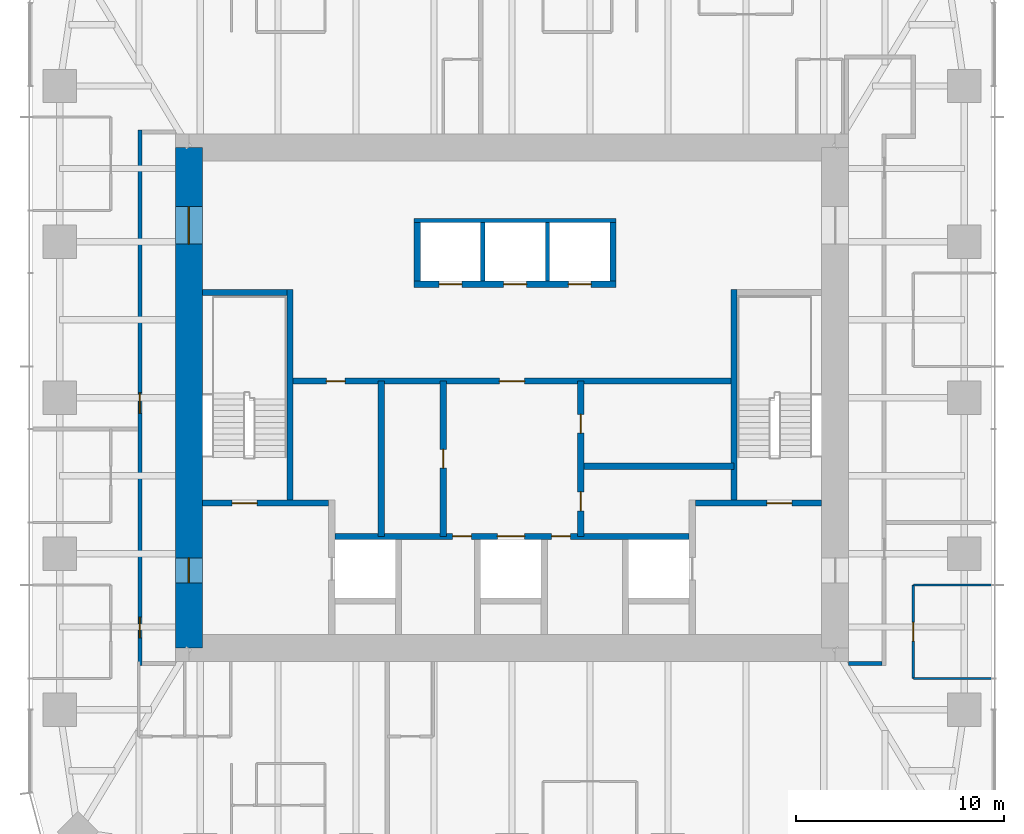
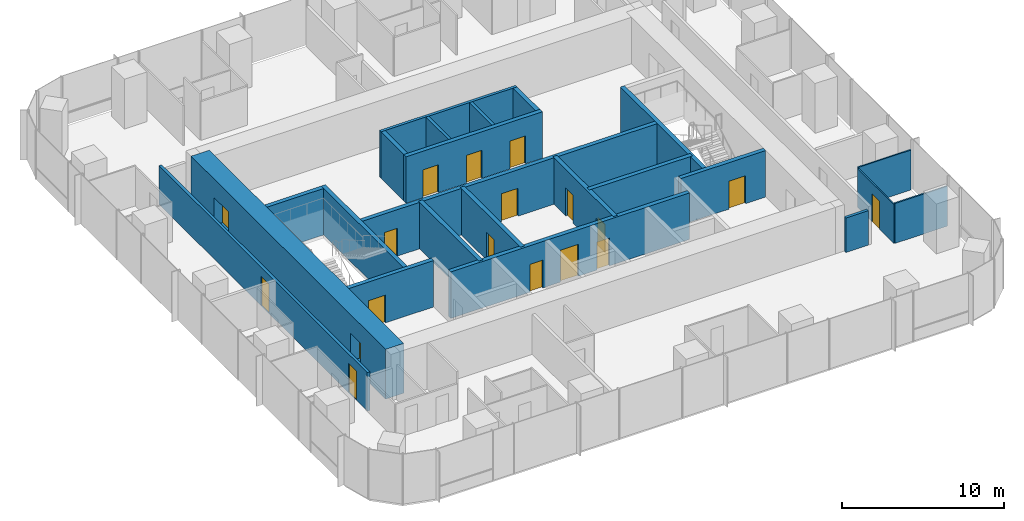
# One storey, part 9 of 12: 23 walls, 18 doors, 18 openings.
"""IFC4 building model written with IfcOpenShell, lengths in metres."""

from ifc_helpers import new_model, si_unit, direction, frame, frame_2d, origin, place, context, subcontext, project, spatial, rectangle, extrude, material, layer, layer_set, type_object, element, fill, save


model = new_model("IFC4")

# Units and contexts
model_context = context("Model", 3, precision=1e-05, world=origin(), true_north=direction((0.0, 1.0)))
body_context = subcontext(model_context, "Body", "Model", "MODEL_VIEW")
ifc_project = project(units=[si_unit("LENGTHUNIT", "METRE"), si_unit("AREAUNIT", "SQUARE_METRE"), si_unit("VOLUMEUNIT", "CUBIC_METRE"), si_unit("PLANEANGLEUNIT", "RADIAN"), si_unit("MASSUNIT", "GRAM", prefix="KILO")], contexts=[model_context])

# Site, building, storey
site_placement = place(None, origin())
site = spatial("IfcSite", under=ifc_project, at=site_placement, CompositionType="ELEMENT")
building_placement = place(site_placement, origin())
building = spatial("IfcBuilding", under=site, at=building_placement, Name="Khuree Lantern Residences", CompositionType="ELEMENT")
storey_placement = place(building_placement, frame((0.0, 0.0, 334.5)))
storey = spatial("IfcBuildingStorey", under=building, at=storey_placement, Name="L84", CompositionType="ELEMENT", Elevation=334.5)

# Wall, openings, doors
ifc_material_1 = material(Name="Dense concrete blockwork", Category="masonry")
ifc_layer_1 = layer(ifc_material_1, 0.300048828125)
ifc_layer_set_1 = layer_set([ifc_layer_1], Name="CORE PARTITION WALL CPW300 EI 120")
wall_type_1 = type_object("IfcWallType", Name="CORE PARTITION WALL CPW300 EI 120", PredefinedType="PARTITIONING", material=ifc_layer_set_1)
wall_1_placement = place(storey_placement, frame((-8.5, -6.64990234375, 0.0), z_axis=(0.0, 0.0, 1.0), x_axis=(1.0, 0.0, 0.0)))
wall_1 = element("IfcWall", 1, at=wall_1_placement, inside=storey, type_object=wall_type_1, Name="L84 CORE WALL FLROW", PredefinedType="PARTITIONING", context=body_context, shape_type="SweptSolid", body=[
    extrude(rectangle(XDim=17.0, YDim=0.300048828125, at=frame_2d((8.5, 0.0))), origin(), (0.0, 0.0, 1.0), 3.5),
])
opening_1_placement = place(wall_1_placement, frame((7.800048828125, 0.0, 0.0)))
opening_1 = element("IfcOpeningElement", 2, at=opening_1_placement, cuts=wall_1, Name="Opening 84-012", PredefinedType="OPENING", context=body_context, shape_type="SweptSolid", body=[
    extrude(rectangle(XDim=1.300048828125, YDim=2.39990234375, at=frame_2d((0.64990234375, 1.199951171875))), frame((0.0, 0.16015625, 0.0), z_axis=(0.0, -1.0, 0.0), x_axis=(1.0, 0.0, 0.0)), (0.0, 0.0, 1.0), 0.320068359375),
])
opening_2_placement = place(wall_1_placement, frame((5.64990234375, 0.0, 0.0)))
opening_2 = element("IfcOpeningElement", 3, at=opening_2_placement, cuts=wall_1, Name="Opening 84-014", PredefinedType="OPENING", context=body_context, shape_type="SweptSolid", body=[
    extrude(rectangle(XDim=0.89990234375, YDim=2.10009765625, at=frame_2d((0.449951171875, 1.050048828125))), frame((0.0, 0.16015625, 0.0), z_axis=(0.0, -1.0, 0.0), x_axis=(1.0, 0.0, 0.0)), (0.0, 0.0, 1.0), 0.320068359375),
])
opening_3_placement = place(wall_1_placement, frame((10.39990234375, 0.0, 0.0)))
opening_3 = element("IfcOpeningElement", 4, at=opening_3_placement, cuts=wall_1, Name="Opening 84-015", PredefinedType="OPENING", context=body_context, shape_type="SweptSolid", body=[
    extrude(rectangle(XDim=0.89990234375, YDim=2.10009765625, at=frame_2d((0.449951171875, 1.050048828125))), frame((0.0, 0.16015625, 0.0), z_axis=(0.0, -1.0, 0.0), x_axis=(1.0, 0.0, 0.0)), (0.0, 0.0, 1.0), 0.320068359375),
])
ifc_material_2 = material(Name="Steel door leaf in steel frame", Category="steel")
door_type_1 = type_object("IfcDoorType", Name="DOOR 900X2100 EI 60", OperationType="SINGLE_SWING_LEFT", PredefinedType="DOOR", material=ifc_material_2)
door_1_placement = place(opening_2_placement, origin())
door_1 = element("IfcDoor", 5, at=door_1_placement, inside=storey, type_object=door_type_1, Name="Refuse chute room door 84-014", OperationType="SINGLE_SWING_LEFT", OverallHeight=2.10009765625, OverallWidth=0.89990234375, PredefinedType="DOOR", context=body_context, shape_type="SweptSolid", body=[
    extrude(rectangle(XDim=0.89990234375, YDim=2.10009765625, at=frame_2d((0.449951171875, 1.050048828125))), frame((0.0, 0.02490234375, 0.0), z_axis=(0.0, -1.0, 0.0), x_axis=(1.0, 0.0, 0.0)), (0.0, 0.0, 1.0), 0.050048828125),
])
fill(opening_2, door_1)
door_type_2 = type_object("IfcDoorType", Name="DOOR 900X2100 EI 60 RIGHT HAND", OperationType="SINGLE_SWING_RIGHT", PredefinedType="DOOR", material=ifc_material_2)
door_2_placement = place(opening_3_placement, origin())
door_2 = element("IfcDoor", 6, at=door_2_placement, inside=storey, type_object=door_type_2, Name="Electrical and plumbing riser door 84-015", OperationType="SINGLE_SWING_RIGHT", OverallHeight=2.10009765625, OverallWidth=0.89990234375, PredefinedType="DOOR", context=body_context, shape_type="SweptSolid", body=[
    extrude(rectangle(XDim=0.89990234375, YDim=2.10009765625, at=frame_2d((0.449951171875, 1.050048828125))), frame((0.0, 0.02490234375, 0.0), z_axis=(0.0, -1.0, 0.0), x_axis=(1.0, 0.0, 0.0)), (0.0, 0.0, 1.0), 0.050048828125),
])
fill(opening_3, door_2)
ifc_material_3 = material(Name="Stainless steel lift landing door", Category="steel")
door_type_3 = type_object("IfcDoorType", Name="LIFT LANDING DOOR 1300X2400 E 60", OperationType="DOUBLE_DOOR_SLIDING", PredefinedType="DOOR", material=ifc_material_3)
door_3_placement = place(opening_1_placement, origin())
door_3 = element("IfcDoor", 7, at=door_3_placement, inside=storey, type_object=door_type_3, Name="Landing door SL1 84-012", OperationType="DOUBLE_DOOR_SLIDING", OverallHeight=2.39990234375, OverallWidth=1.300048828125, PredefinedType="DOOR", context=body_context, shape_type="SweptSolid", body=[
    extrude(rectangle(XDim=1.300048828125, YDim=2.39990234375, at=frame_2d((0.64990234375, 1.199951171875))), frame((0.0, 0.02490234375, 0.0), z_axis=(0.0, -1.0, 0.0), x_axis=(1.0, 0.0, 0.0)), (0.0, 0.0, 1.0), 0.050048828125),
])
fill(opening_1, door_3)

wall_2_placement = place(storey_placement, frame((-4.699951171875, 5.449951171875, 0.0), z_axis=(0.0, 0.0, 1.0), x_axis=(1.0, 0.0, 0.0)))
wall_2 = element("IfcWall", 8, at=wall_2_placement, inside=storey, type_object=wall_type_1, Name="L84 CORE WALL PHS", PredefinedType="PARTITIONING", context=body_context, shape_type="SweptSolid", body=[
    extrude(rectangle(XDim=9.699951171875, YDim=0.300048828125, at=frame_2d((4.85009765625, 0.0))), origin(), (0.0, 0.0, 1.0), 3.5),
])
opening_4_placement = place(wall_2_placement, frame((1.199951171875, 0.0, 0.0)))
opening_4 = element("IfcOpeningElement", 9, at=opening_4_placement, cuts=wall_2, Name="Opening 84-009", PredefinedType="OPENING", context=body_context, shape_type="SweptSolid", body=[
    extrude(rectangle(XDim=1.10009765625, YDim=2.10009765625, at=frame_2d((0.550048828125, 1.050048828125))), frame((0.0, 0.16015625, 0.0), z_axis=(0.0, -1.0, 0.0), x_axis=(1.0, 0.0, 0.0)), (0.0, 0.0, 1.0), 0.320068359375),
])
opening_5_placement = place(wall_2_placement, frame((4.300048828125, 0.0, 0.0)))
opening_5 = element("IfcOpeningElement", 10, at=opening_5_placement, cuts=wall_2, Name="Opening 84-010", PredefinedType="OPENING", context=body_context, shape_type="SweptSolid", body=[
    extrude(rectangle(XDim=1.10009765625, YDim=2.10009765625, at=frame_2d((0.550048828125, 1.050048828125))), frame((0.0, 0.16015625, 0.0), z_axis=(0.0, -1.0, 0.0), x_axis=(1.0, 0.0, 0.0)), (0.0, 0.0, 1.0), 0.320068359375),
])
opening_6_placement = place(wall_2_placement, frame((7.39990234375, 0.0, 0.0)))
opening_6 = element("IfcOpeningElement", 11, at=opening_6_placement, cuts=wall_2, Name="Opening 84-011", PredefinedType="OPENING", context=body_context, shape_type="SweptSolid", body=[
    extrude(rectangle(XDim=1.10009765625, YDim=2.10009765625, at=frame_2d((0.550048828125, 1.050048828125))), frame((0.0, 0.16015625, 0.0), z_axis=(0.0, -1.0, 0.0), x_axis=(1.0, 0.0, 0.0)), (0.0, 0.0, 1.0), 0.320068359375),
])
door_type_4 = type_object("IfcDoorType", Name="LIFT LANDING DOOR 1100X2100 E 60", OperationType="DOUBLE_DOOR_SLIDING", PredefinedType="DOOR", material=ifc_material_3)
door_4_placement = place(opening_4_placement, origin())
door_4 = element("IfcDoor", 12, at=door_4_placement, inside=storey, type_object=door_type_4, Name="Landing door PH1 84-009", OperationType="DOUBLE_DOOR_SLIDING", OverallHeight=2.10009765625, OverallWidth=1.10009765625, PredefinedType="DOOR", context=body_context, shape_type="SweptSolid", body=[
    extrude(rectangle(XDim=1.10009765625, YDim=2.10009765625, at=frame_2d((0.550048828125, 1.050048828125))), frame((0.0, 0.02490234375, 0.0), z_axis=(0.0, -1.0, 0.0), x_axis=(1.0, 0.0, 0.0)), (0.0, 0.0, 1.0), 0.050048828125),
])
fill(opening_4, door_4)
door_5_placement = place(opening_5_placement, origin())
door_5 = element("IfcDoor", 13, at=door_5_placement, inside=storey, type_object=door_type_4, Name="Landing door PH2 84-010", OperationType="DOUBLE_DOOR_SLIDING", OverallHeight=2.10009765625, OverallWidth=1.10009765625, PredefinedType="DOOR", context=body_context, shape_type="SweptSolid", body=[
    extrude(rectangle(XDim=1.10009765625, YDim=2.10009765625, at=frame_2d((0.550048828125, 1.050048828125))), frame((0.0, 0.02490234375, 0.0), z_axis=(0.0, -1.0, 0.0), x_axis=(1.0, 0.0, 0.0)), (0.0, 0.0, 1.0), 0.050048828125),
])
fill(opening_5, door_5)
door_6_placement = place(opening_6_placement, origin())
door_6 = element("IfcDoor", 14, at=door_6_placement, inside=storey, type_object=door_type_4, Name="Landing door PH3 84-011", OperationType="DOUBLE_DOOR_SLIDING", OverallHeight=2.10009765625, OverallWidth=1.10009765625, PredefinedType="DOOR", context=body_context, shape_type="SweptSolid", body=[
    extrude(rectangle(XDim=1.10009765625, YDim=2.10009765625, at=frame_2d((0.550048828125, 1.050048828125))), frame((0.0, 0.02490234375, 0.0), z_axis=(0.0, -1.0, 0.0), x_axis=(1.0, 0.0, 0.0)), (0.0, 0.0, 1.0), 0.050048828125),
])
fill(opening_6, door_6)

# Walls
for number, where, z_axis, x_axis, name in (
    (15, (-4.550048828125, 5.60009765625, 0.0), (0.0, 0.0, 1.0), (0.0, 1.0, 0.0), "L84 CORE WALL PHW"),
    (16, (4.85009765625, 5.60009765625, 0.0), (0.0, 0.0, 1.0), (0.0, 1.0, 0.0), "L84 CORE WALL PHE"),
):
    element("IfcWall", number, at=place(storey_placement, frame(where, z_axis=z_axis, x_axis=x_axis)), inside=storey, type_object=wall_type_1, Name=name, PredefinedType="PARTITIONING", context=body_context, shape_type="SweptSolid", body=[
        extrude(rectangle(XDim=2.7998046875, YDim=0.300048828125, at=frame_2d((1.39990234375, 0.0))), origin(), (0.0, 0.0, 1.0), 3.5),
    ])

# Wall, openings, doors
wall_3_placement = place(storey_placement, frame((-10.64990234375, 0.800048828125, 0.0), z_axis=(0.0, 0.0, 1.0), x_axis=(1.0, 0.0, 0.0)))
wall_3 = element("IfcWall", 17, at=wall_3_placement, inside=storey, type_object=wall_type_1, Name="L84 CORE WALL LLS", PredefinedType="PARTITIONING", context=body_context, shape_type="SweptSolid", body=[
    extrude(rectangle(XDim=21.2998046875, YDim=0.300048828125, at=frame_2d((10.64990234375, 0.0))), origin(), (0.0, 0.0, 1.0), 3.5),
])
opening_7_placement = place(wall_3_placement, frame((10.050048828125, 0.0, 0.0)))
opening_7 = element("IfcOpeningElement", 18, at=opening_7_placement, cuts=wall_3, Name="Opening 84-013", PredefinedType="OPENING", context=body_context, shape_type="SweptSolid", body=[
    extrude(rectangle(XDim=1.199951171875, YDim=2.10009765625, at=frame_2d((0.60009765625, 1.050048828125))), frame((0.0, 0.16015625, 0.0), z_axis=(0.0, -1.0, 0.0), x_axis=(1.0, 0.0, 0.0)), (0.0, 0.0, 1.0), 0.320068359375),
])
opening_8_placement = place(wall_3_placement, frame((1.739990234375, 0.0, 0.0)))
opening_8 = element("IfcOpeningElement", 19, at=opening_8_placement, cuts=wall_3, Name="Opening 84-017", PredefinedType="OPENING", context=body_context, shape_type="SweptSolid", body=[
    extrude(rectangle(XDim=0.89990234375, YDim=2.10009765625, at=frame_2d((0.449951171875, 1.050048828125))), frame((0.0, 0.16015625, 0.0), z_axis=(0.0, -1.0, 0.0), x_axis=(1.0, 0.0, 0.0)), (0.0, 0.0, 1.0), 0.320068359375),
])
door_type_5 = type_object("IfcDoorType", Name="DOOR 1200X2100 EI 60", OperationType="SINGLE_SWING_LEFT", PredefinedType="DOOR", material=ifc_material_2)
door_7_placement = place(opening_7_placement, origin())
door_7 = element("IfcDoor", 20, at=door_7_placement, inside=storey, type_object=door_type_5, Name="Service lift lobby door 84-013", OperationType="SINGLE_SWING_LEFT", OverallHeight=2.10009765625, OverallWidth=1.199951171875, PredefinedType="DOOR", context=body_context, shape_type="SweptSolid", body=[
    extrude(rectangle(XDim=1.199951171875, YDim=2.10009765625, at=frame_2d((0.60009765625, 1.050048828125))), frame((0.0, 0.02490234375, 0.0), z_axis=(0.0, -1.0, 0.0), x_axis=(1.0, 0.0, 0.0)), (0.0, 0.0, 1.0), 0.050048828125),
])
fill(opening_7, door_7)
ifc_material_4 = material(Name="Timber door leaf in hardwood frame", Category="wood")
door_type_6 = type_object("IfcDoorType", Name="DOOR 900X2100", OperationType="SINGLE_SWING_LEFT", PredefinedType="DOOR", material=ifc_material_4)
door_8_placement = place(opening_8_placement, origin())
door_8 = element("IfcDoor", 21, at=door_8_placement, inside=storey, type_object=door_type_6, Name="Residents' store door 84-017", OperationType="SINGLE_SWING_LEFT", OverallHeight=2.10009765625, OverallWidth=0.89990234375, PredefinedType="DOOR", context=body_context, shape_type="SweptSolid", body=[
    extrude(rectangle(XDim=0.89990234375, YDim=2.10009765625, at=frame_2d((0.449951171875, 1.050048828125))), frame((0.0, 0.02490234375, 0.0), z_axis=(0.0, -1.0, 0.0), x_axis=(1.0, 0.0, 0.0)), (0.0, 0.0, 1.0), 0.050048828125),
])
fill(opening_8, door_8)

# Wall, opening, door
wall_4_placement = place(storey_placement, frame((-3.300048828125, -6.64990234375, 0.0), z_axis=(0.0, 0.0, 1.0), x_axis=(0.0, 1.0, 0.0)))
wall_4 = element("IfcWall", 22, at=wall_4_placement, inside=storey, type_object=wall_type_1, Name="L84 CORE WALL SVW", PredefinedType="PARTITIONING", context=body_context, shape_type="SweptSolid", body=[
    extrude(rectangle(XDim=7.449951171875, YDim=0.300048828125, at=frame_2d((3.72509765625, 0.0))), origin(), (0.0, 0.0, 1.0), 3.5),
])
opening_9_placement = place(wall_4_placement, frame((3.27490234375, 0.0, 0.0)))
opening_9 = element("IfcOpeningElement", 23, at=opening_9_placement, cuts=wall_4, Name="Opening 84-016", PredefinedType="OPENING", context=body_context, shape_type="SweptSolid", body=[
    extrude(rectangle(XDim=0.89990234375, YDim=2.10009765625, at=frame_2d((0.449951171875, 1.050048828125))), frame((0.0, 0.16015625, 0.0), z_axis=(0.0, -1.0, 0.0), x_axis=(1.0, 0.0, 0.0)), (0.0, 0.0, 1.0), 0.320068359375),
])
door_9_placement = place(opening_9_placement, origin())
door_9 = element("IfcDoor", 24, at=door_9_placement, inside=storey, type_object=door_type_6, Name="Parcel room door 84-016", OperationType="SINGLE_SWING_LEFT", OverallHeight=2.10009765625, OverallWidth=0.89990234375, PredefinedType="DOOR", context=body_context, shape_type="SweptSolid", body=[
    extrude(rectangle(XDim=0.89990234375, YDim=2.10009765625, at=frame_2d((0.449951171875, 1.050048828125))), frame((0.0, 0.02490234375, 0.0), z_axis=(0.0, -1.0, 0.0), x_axis=(1.0, 0.0, 0.0)), (0.0, 0.0, 1.0), 0.050048828125),
])
fill(opening_9, door_9)

# Wall, openings, doors
wall_5_placement = place(storey_placement, frame((3.300048828125, -6.64990234375, 0.0), z_axis=(0.0, 0.0, 1.0), x_axis=(0.0, 1.0, 0.0)))
wall_5 = element("IfcWall", 25, at=wall_5_placement, inside=storey, type_object=wall_type_1, Name="L84 CORE WALL SVE", PredefinedType="PARTITIONING", context=body_context, shape_type="SweptSolid", body=[
    extrude(rectangle(XDim=7.449951171875, YDim=0.300048828125, at=frame_2d((3.72509765625, 0.0))), origin(), (0.0, 0.0, 1.0), 3.5),
])
opening_10_placement = place(wall_5_placement, frame((1.23095703125, 0.0, 0.0)))
opening_10 = element("IfcOpeningElement", 26, at=opening_10_placement, cuts=wall_5, Name="Opening 84-018", PredefinedType="OPENING", context=body_context, shape_type="SweptSolid", body=[
    extrude(rectangle(XDim=0.89990234375, YDim=2.10009765625, at=frame_2d((0.449951171875, 1.050048828125))), frame((0.0, 0.16015625, 0.0), z_axis=(0.0, -1.0, 0.0), x_axis=(1.0, 0.0, 0.0)), (0.0, 0.0, 1.0), 0.320068359375),
])
opening_11_placement = place(wall_5_placement, frame((4.9560546875, 0.0, 0.0)))
opening_11 = element("IfcOpeningElement", 27, at=opening_11_placement, cuts=wall_5, Name="Opening 84-019", PredefinedType="OPENING", context=body_context, shape_type="SweptSolid", body=[
    extrude(rectangle(XDim=0.89990234375, YDim=2.10009765625, at=frame_2d((0.449951171875, 1.050048828125))), frame((0.0, 0.16015625, 0.0), z_axis=(0.0, -1.0, 0.0), x_axis=(1.0, 0.0, 0.0)), (0.0, 0.0, 1.0), 0.320068359375),
])
door_10_placement = place(opening_10_placement, origin())
door_10 = element("IfcDoor", 28, at=door_10_placement, inside=storey, type_object=door_type_6, Name="Parcel room door 84-018", OperationType="SINGLE_SWING_LEFT", OverallHeight=2.10009765625, OverallWidth=0.89990234375, PredefinedType="DOOR", context=body_context, shape_type="SweptSolid", body=[
    extrude(rectangle(XDim=0.89990234375, YDim=2.10009765625, at=frame_2d((0.449951171875, 1.050048828125))), frame((0.0, 0.02490234375, 0.0), z_axis=(0.0, -1.0, 0.0), x_axis=(1.0, 0.0, 0.0)), (0.0, 0.0, 1.0), 0.050048828125),
])
fill(opening_10, door_10)
door_type_7 = type_object("IfcDoorType", Name="DOOR 900X2100 RIGHT HAND", OperationType="SINGLE_SWING_RIGHT", PredefinedType="DOOR", material=ifc_material_4)
door_11_placement = place(opening_11_placement, origin())
door_11 = element("IfcDoor", 29, at=door_11_placement, inside=storey, type_object=door_type_7, Name="Residents' store door 84-019", OperationType="SINGLE_SWING_RIGHT", OverallHeight=2.10009765625, OverallWidth=0.89990234375, PredefinedType="DOOR", context=body_context, shape_type="SweptSolid", body=[
    extrude(rectangle(XDim=0.89990234375, YDim=2.10009765625, at=frame_2d((0.449951171875, 1.050048828125))), frame((0.0, 0.02490234375, 0.0), z_axis=(0.0, -1.0, 0.0), x_axis=(1.0, 0.0, 0.0)), (0.0, 0.0, 1.0), 0.050048828125),
])
fill(opening_11, door_11)

# Walls
wall_6_placement = place(storey_placement, frame((-6.27001953125, -6.64990234375, 0.0), z_axis=(0.0, 0.0, 1.0), x_axis=(0.0, 1.0, 0.0)))
element("IfcWall", 30, at=wall_6_placement, inside=storey, type_object=wall_type_1, Name="L84 CORE WALL WV", PredefinedType="PARTITIONING", context=body_context, shape_type="SweptSolid", body=[
    extrude(rectangle(XDim=7.449951171875, YDim=0.300048828125, at=frame_2d((3.72509765625, 0.0))), origin(), (0.0, 0.0, 1.0), 3.5),
])
wall_7_placement = place(storey_placement, frame((10.64990234375, -3.2880859375, 0.0), z_axis=(0.0, 0.0, 1.0), x_axis=(-1.0, 0.0, 0.0)))
element("IfcWall", 31, at=wall_7_placement, inside=storey, type_object=wall_type_1, Name="L84 CORE WALL EX", PredefinedType="PARTITIONING", context=body_context, shape_type="SweptSolid", body=[
    extrude(rectangle(XDim=7.349853515625, YDim=0.300048828125, at=frame_2d((3.6748046875, 0.0))), origin(), (0.0, 0.0, 1.0), 3.5),
])
ifc_material_5 = material(Name="Gypsum board on steel studs", Category="steel")
ifc_layer_2 = layer(ifc_material_5, 0.199951171875)
ifc_layer_set_2 = layer_set([ifc_layer_2], Name="CORRIDOR WALL CRW200 EI 60")
wall_type_2 = type_object("IfcWallType", Name="CORRIDOR WALL CRW200 EI 60", PredefinedType="PARTITIONING", material=ifc_layer_set_2)
wall_8_placement = place(storey_placement, frame((16.14990234375, -12.75, 0.0), z_axis=(0.0, 0.0, 1.0), x_axis=(1.0, 0.0, 0.0)))
element("IfcWall", 32, at=wall_8_placement, inside=storey, type_object=wall_type_2, Name="L84 EAST CORRIDOR SOUTH END WALL", PredefinedType="PARTITIONING", context=body_context, shape_type="SweptSolid", body=[
    extrude(rectangle(XDim=1.60009765625, YDim=0.199951171875, at=frame_2d((0.800048828125, 0.0))), origin(), (0.0, 0.0, 1.0), 2.60009765625),
])

# Wall, openings, doors
wall_9_placement = place(storey_placement, frame((-17.85009765625, 12.85009765625, 0.0), z_axis=(0.0, 0.0, 1.0), x_axis=(0.0, -1.0, 0.0)))
wall_9 = element("IfcWall", 33, at=wall_9_placement, inside=storey, type_object=wall_type_2, Name="L84 CORRIDOR WALL WEST 1", PredefinedType="PARTITIONING", context=body_context, shape_type="SweptSolid", body=[
    extrude(rectangle(XDim=25.7001953125, YDim=0.199951171875, at=frame_2d((12.85009765625, 0.0))), origin(), (0.0, 0.0, 1.0), 2.89990234375),
])
opening_12_placement = place(wall_9_placement, frame((12.60009765625, 0.0, 0.0)))
opening_12 = element("IfcOpeningElement", 34, at=opening_12_placement, cuts=wall_9, Name="Opening 84-030", PredefinedType="OPENING", context=body_context, shape_type="SweptSolid", body=[
    extrude(rectangle(XDim=1.0, YDim=2.199951171875, at=frame_2d((0.5, 1.10009765625))), frame((0.0, 0.10986328125, 0.0), z_axis=(0.0, -1.0, 0.0), x_axis=(1.0, 0.0, 0.0)), (0.0, 0.0, 1.0), 0.219970703125),
])
opening_13_placement = place(wall_9_placement, frame((23.365966796875, 0.0, 0.0)))
opening_13 = element("IfcOpeningElement", 35, at=opening_13_placement, cuts=wall_9, Name="Opening 84-037", PredefinedType="OPENING", context=body_context, shape_type="SweptSolid", body=[
    extrude(rectangle(XDim=1.0, YDim=2.199951171875, at=frame_2d((0.5, 1.10009765625))), frame((0.0, 0.10986328125, 0.0), z_axis=(0.0, -1.0, 0.0), x_axis=(1.0, 0.0, 0.0)), (0.0, 0.0, 1.0), 0.219970703125),
])
door_type_8 = type_object("IfcDoorType", Name="APARTMENT ENTRANCE DOOR 1000X2200 EI 30S", OperationType="SINGLE_SWING_LEFT", PredefinedType="DOOR", material=ifc_material_4)
door_12_placement = place(opening_12_placement, origin())
door_12 = element("IfcDoor", 36, at=door_12_placement, inside=storey, type_object=door_type_8, Name="Apartment 02 entrance door 84-030", OperationType="SINGLE_SWING_LEFT", OverallHeight=2.199951171875, OverallWidth=1.0, PredefinedType="DOOR", context=body_context, shape_type="SweptSolid", body=[
    extrude(rectangle(XDim=1.0, YDim=2.199951171875, at=frame_2d((0.5, 1.10009765625))), frame((0.0, 0.02490234375, 0.0), z_axis=(0.0, -1.0, 0.0), x_axis=(1.0, 0.0, 0.0)), (0.0, 0.0, 1.0), 0.050048828125),
])
fill(opening_12, door_12)
door_type_9 = type_object("IfcDoorType", Name="APARTMENT ENTRANCE DOOR 1000X2200 EI 30S RIGHT HAND", OperationType="SINGLE_SWING_RIGHT", PredefinedType="DOOR", material=ifc_material_4)
door_13_placement = place(opening_13_placement, origin())
door_13 = element("IfcDoor", 37, at=door_13_placement, inside=storey, type_object=door_type_9, Name="Apartment 03 entrance door 84-037", OperationType="SINGLE_SWING_RIGHT", OverallHeight=2.199951171875, OverallWidth=1.0, PredefinedType="DOOR", context=body_context, shape_type="SweptSolid", body=[
    extrude(rectangle(XDim=1.0, YDim=2.199951171875, at=frame_2d((0.5, 1.10009765625))), frame((0.0, 0.02490234375, 0.0), z_axis=(0.0, -1.0, 0.0), x_axis=(1.0, 0.0, 0.0)), (0.0, 0.0, 1.0), 0.050048828125),
])
fill(opening_13, door_13)

ifc_material_6 = material(Name="Concrete C50/60", Category="concrete")
ifc_layer_3 = layer(ifc_material_6, 1.300048828125)
ifc_layer_set_3 = layer_set([ifc_layer_3], Name="CW1300-C50 CORE WALL C50 1300")
wall_type_3 = type_object("IfcWallType", Name="CW1300-C50 CORE WALL C50 1300", PredefinedType="SHEAR", material=ifc_layer_set_3)
wall_10_placement = place(storey_placement, frame((-15.5, -12.0, -0.25), z_axis=(0.0, 0.0, 1.0), x_axis=(0.0, 1.0, 0.0)))
wall_10 = element("IfcWall", 38, at=wall_10_placement, inside=storey, type_object=wall_type_3, Name="Core wall W", PredefinedType="SHEAR", context=body_context, shape_type="SweptSolid", body=[
    extrude(rectangle(XDim=24.0, YDim=1.300048828125, at=frame_2d((12.0, 0.0))), origin(), (0.0, 0.0, 1.0), 3.75),
])
opening_14_placement = place(wall_10_placement, frame((3.125, 0.0, 0.25)))
opening_14 = element("IfcOpeningElement", 39, at=opening_14_placement, cuts=wall_10, Name="Opening 84-002", PredefinedType="OPENING", context=body_context, shape_type="SweptSolid", body=[
    extrude(rectangle(XDim=1.199951171875, YDim=2.10009765625, at=frame_2d((0.60009765625, 1.050048828125))), frame((0.0, 0.66015625, 0.0), z_axis=(0.0, -1.0, 0.0), x_axis=(1.0, 0.0, 0.0)), (0.0, 0.0, 1.0), 1.320068359375),
])
opening_15_placement = place(wall_10_placement, frame((19.375, 0.0, 0.25)))
opening_15 = element("IfcOpeningElement", 40, at=opening_15_placement, cuts=wall_10, Name="Opening 84-003", PredefinedType="OPENING", context=body_context, shape_type="SweptSolid", body=[
    extrude(rectangle(XDim=1.800048828125, YDim=2.10009765625, at=frame_2d((0.89990234375, 1.050048828125))), frame((0.0, 0.66015625, 0.0), z_axis=(0.0, -1.0, 0.0), x_axis=(1.0, 0.0, 0.0)), (0.0, 0.0, 1.0), 1.320068359375),
])
door_type_10 = type_object("IfcDoorType", Name="LOBBY DOOR 1200X2100 EI 120", OperationType="SINGLE_SWING_LEFT", PredefinedType="DOOR", material=ifc_material_2)
door_14_placement = place(opening_14_placement, origin())
door_14 = element("IfcDoor", 41, at=door_14_placement, inside=storey, type_object=door_type_10, Name="Firefighting lobby door 84-002", OperationType="SINGLE_SWING_LEFT", OverallHeight=2.10009765625, OverallWidth=1.199951171875, PredefinedType="DOOR", context=body_context, shape_type="SweptSolid", body=[
    extrude(rectangle(XDim=1.199951171875, YDim=2.10009765625, at=frame_2d((0.60009765625, 1.050048828125))), frame((0.0, 0.02490234375, 0.0), z_axis=(0.0, -1.0, 0.0), x_axis=(1.0, 0.0, 0.0)), (0.0, 0.0, 1.0), 0.050048828125),
])
fill(opening_14, door_14)
door_type_11 = type_object("IfcDoorType", Name="LOBBY DOUBLE DOOR 1800X2100 EI 60", OperationType="DOUBLE_DOOR_SINGLE_SWING", PredefinedType="DOOR", material=ifc_material_2)
door_15_placement = place(opening_15_placement, origin())
door_15 = element("IfcDoor", 42, at=door_15_placement, inside=storey, type_object=door_type_11, Name="Lift lobby door 84-003", OperationType="DOUBLE_DOOR_SINGLE_SWING", OverallHeight=2.10009765625, OverallWidth=1.800048828125, PredefinedType="DOOR", context=body_context, shape_type="SweptSolid", body=[
    extrude(rectangle(XDim=1.800048828125, YDim=2.10009765625, at=frame_2d((0.89990234375, 1.050048828125))), frame((0.0, 0.02490234375, 0.0), z_axis=(0.0, -1.0, 0.0), x_axis=(1.0, 0.0, 0.0)), (0.0, 0.0, 1.0), 0.050048828125),
])
fill(opening_15, door_15)

# Walls
ifc_layer_4 = layer(ifc_material_5, 0.10009765625)
ifc_layer_set_4 = layer_set([ifc_layer_4], Name="PARTITION PT100")
wall_type_4 = type_object("IfcWallType", Name="PARTITION PT100", PredefinedType="PARTITIONING", material=ifc_layer_set_4)
for number, where, z_axis, x_axis, name in (
    (43, (19.25, -13.464111328125, 0.0), (0.0, 0.0, 1.0), (1.0, 0.0, 0.0), "L84 PARTITION 04"),
    (44, (19.25, -8.97607421875, 0.0), (0.0, 0.0, 1.0), (1.0, 0.0, 0.0), "L84 PARTITION 04"),
):
    element("IfcWall", number, at=place(storey_placement, frame(where, z_axis=z_axis, x_axis=x_axis)), inside=storey, type_object=wall_type_4, Name=name, PredefinedType="PARTITIONING", context=body_context, shape_type="SweptSolid", body=[
        extrude(rectangle(XDim=3.75, YDim=0.10009765625, at=frame_2d((1.875, 0.0))), origin(), (0.0, 0.0, 1.0), 3.010009765625),
    ])

# Wall, opening, door
wall_11_placement = place(storey_placement, frame((19.25, -13.464111328125, 0.0), z_axis=(0.0, 0.0, 1.0), x_axis=(0.0, 1.0, 0.0)))
wall_11 = element("IfcWall", 45, at=wall_11_placement, inside=storey, type_object=wall_type_4, Name="L84 PARTITION 04", PredefinedType="PARTITIONING", context=body_context, shape_type="SweptSolid", body=[
    extrude(rectangle(XDim=4.488037109375, YDim=0.10009765625, at=frame_2d((2.244140625, 0.0))), origin(), (0.0, 0.0, 1.0), 2.909912109375),
])
opening_16_placement = place(wall_11_placement, frame((1.7939453125, 0.0, 0.0)))
opening_16 = element("IfcOpeningElement", 46, at=opening_16_placement, cuts=wall_11, Name="Opening 84-039", PredefinedType="OPENING", context=body_context, shape_type="SweptSolid", body=[
    extrude(rectangle(XDim=0.89990234375, YDim=2.10009765625, at=frame_2d((0.449951171875, 1.050048828125))), frame((0.0, 0.06005859375, 0.0), z_axis=(0.0, -1.0, 0.0), x_axis=(1.0, 0.0, 0.0)), (0.0, 0.0, 1.0), 0.1201171875),
])
door_type_12 = type_object("IfcDoorType", Name="BEDROOM DOOR 900X2100", OperationType="SINGLE_SWING_LEFT", PredefinedType="DOOR", material=ifc_material_4)
door_16_placement = place(opening_16_placement, origin())
door_16 = element("IfcDoor", 47, at=door_16_placement, inside=storey, type_object=door_type_12, Name="Bedroom door 84-039", OperationType="SINGLE_SWING_LEFT", OverallHeight=2.10009765625, OverallWidth=0.89990234375, PredefinedType="DOOR", context=body_context, shape_type="SweptSolid", body=[
    extrude(rectangle(XDim=0.89990234375, YDim=2.10009765625, at=frame_2d((0.449951171875, 1.050048828125))), frame((0.0, 0.02490234375, 0.0), z_axis=(0.0, -1.0, 0.0), x_axis=(1.0, 0.0, 0.0)), (0.0, 0.0, 1.0), 0.050048828125),
])
fill(opening_16, door_16)

# Walls
ifc_layer_5 = layer(ifc_material_1, 0.199951171875)
ifc_layer_set_5 = layer_set([ifc_layer_5], Name="SHAFT WALL SHW200 EI 120")
wall_type_5 = type_object("IfcWallType", Name="SHAFT WALL SHW200 EI 120", PredefinedType="PARTITIONING", material=ifc_layer_set_5)
wall_12_placement = place(storey_placement, frame((-4.699951171875, 8.5, 0.0), z_axis=(0.0, 0.0, 1.0), x_axis=(1.0, 0.0, 0.0)))
element("IfcWall", 48, at=wall_12_placement, inside=storey, type_object=wall_type_5, Name="L84 CORE WALL PHN", PredefinedType="PARTITIONING", context=body_context, shape_type="SweptSolid", body=[
    extrude(rectangle(XDim=9.699951171875, YDim=0.199951171875, at=frame_2d((4.85009765625, 0.0))), origin(), (0.0, 0.0, 1.0), 3.5),
])
for number, where, z_axis, x_axis, name in (
    (49, (-1.39990234375, 5.60009765625, 0.0), (0.0, 0.0, 1.0), (0.0, 1.0, 0.0), "L84 CORE WALL PHD1"),
    (50, (1.699951171875, 5.60009765625, 0.0), (0.0, 0.0, 1.0), (0.0, 1.0, 0.0), "L84 CORE WALL PHD2"),
):
    element("IfcWall", number, at=place(storey_placement, frame(where, z_axis=z_axis, x_axis=x_axis)), inside=storey, type_object=wall_type_5, Name=name, PredefinedType="PARTITIONING", context=body_context, shape_type="SweptSolid", body=[
        extrude(rectangle(XDim=2.7998046875, YDim=0.199951171875, at=frame_2d((1.39990234375, 0.0))), origin(), (0.0, 0.0, 1.0), 3.5),
    ])
ifc_layer_6 = layer(ifc_material_6, 0.300048828125)
ifc_layer_set_6 = layer_set([ifc_layer_6], Name="STAIR WALL SRW300 C50/60 REI 240")
wall_type_6 = type_object("IfcWallType", Name="STAIR WALL SRW300 C50/60 REI 240", PredefinedType="SOLIDWALL", material=ifc_layer_set_6)
wall_13_placement = place(storey_placement, frame((-10.64990234375, -4.89990234375, 0.0), z_axis=(0.0, 0.0, 1.0), x_axis=(0.0, 1.0, 0.0)))
element("IfcWall", 51, at=wall_13_placement, inside=storey, type_object=wall_type_6, Name="L84 STAIR WALL ST1E", PredefinedType="SOLIDWALL", context=body_context, shape_type="SweptSolid", body=[
    extrude(rectangle(XDim=10.099853515625, YDim=0.300048828125, at=frame_2d((5.0498046875, 0.0))), origin(), (0.0, 0.0, 1.0), 3.5),
])

# Wall, opening, door
wall_14_placement = place(storey_placement, frame((-14.85009765625, -5.050048828125, 0.0), z_axis=(0.0, 0.0, 1.0), x_axis=(1.0, 0.0, 0.0)))
wall_14 = element("IfcWall", 52, at=wall_14_placement, inside=storey, type_object=wall_type_6, Name="L84 STAIR WALL ST1S", PredefinedType="SOLIDWALL", context=body_context, shape_type="SweptSolid", body=[
    extrude(rectangle(XDim=6.050048828125, YDim=0.300048828125, at=frame_2d((3.02490234375, 0.0))), origin(), (0.0, 0.0, 1.0), 3.5),
])
opening_17_placement = place(wall_14_placement, frame((1.425048828125, 0.0, 0.0)))
opening_17 = element("IfcOpeningElement", 53, at=opening_17_placement, cuts=wall_14, Name="Opening 84-001", PredefinedType="OPENING", context=body_context, shape_type="SweptSolid", body=[
    extrude(rectangle(XDim=1.199951171875, YDim=2.10009765625, at=frame_2d((0.60009765625, 1.050048828125))), frame((0.0, 0.16015625, 0.0), z_axis=(0.0, -1.0, 0.0), x_axis=(1.0, 0.0, 0.0)), (0.0, 0.0, 1.0), 0.320068359375),
])
door_type_13 = type_object("IfcDoorType", Name="STAIR DOOR 1200X2100 EI 120", OperationType="SINGLE_SWING_LEFT", PredefinedType="DOOR", material=ifc_material_2)
door_17_placement = place(opening_17_placement, origin())
door_17 = element("IfcDoor", 54, at=door_17_placement, inside=storey, type_object=door_type_13, Name="Stair ST1 door 84-001", OperationType="SINGLE_SWING_LEFT", OverallHeight=2.10009765625, OverallWidth=1.199951171875, PredefinedType="DOOR", context=body_context, shape_type="SweptSolid", body=[
    extrude(rectangle(XDim=1.199951171875, YDim=2.10009765625, at=frame_2d((0.60009765625, 1.050048828125))), frame((0.0, 0.02490234375, 0.0), z_axis=(0.0, -1.0, 0.0), x_axis=(1.0, 0.0, 0.0)), (0.0, 0.0, 1.0), 0.050048828125),
])
fill(opening_17, door_17)

# Walls
wall_15_placement = place(storey_placement, frame((-14.85009765625, 5.050048828125, 0.0), z_axis=(0.0, 0.0, 1.0), x_axis=(1.0, 0.0, 0.0)))
element("IfcWall", 55, at=wall_15_placement, inside=storey, type_object=wall_type_6, Name="L84 STAIR WALL ST1N", PredefinedType="SOLIDWALL", context=body_context, shape_type="SweptSolid", body=[
    extrude(rectangle(XDim=4.050048828125, YDim=0.300048828125, at=frame_2d((2.02490234375, 0.0))), origin(), (0.0, 0.0, 1.0), 3.5),
])
wall_16_placement = place(storey_placement, frame((10.64990234375, -4.89990234375, 0.0), z_axis=(0.0, 0.0, 1.0), x_axis=(0.0, 1.0, 0.0)))
element("IfcWall", 56, at=wall_16_placement, inside=storey, type_object=wall_type_6, Name="L84 STAIR WALL ST2E", PredefinedType="SOLIDWALL", context=body_context, shape_type="SweptSolid", body=[
    extrude(rectangle(XDim=10.099853515625, YDim=0.300048828125, at=frame_2d((5.0498046875, 0.0))), origin(), (0.0, 0.0, 1.0), 3.5),
])

# Wall, opening, door
wall_17_placement = place(storey_placement, frame((14.85009765625, -5.050048828125, 0.0), z_axis=(0.0, 0.0, 1.0), x_axis=(-1.0, 0.0, 0.0)))
wall_17 = element("IfcWall", 57, at=wall_17_placement, inside=storey, type_object=wall_type_6, Name="L84 STAIR WALL ST2S", PredefinedType="SOLIDWALL", context=body_context, shape_type="SweptSolid", body=[
    extrude(rectangle(XDim=6.050048828125, YDim=0.300048828125, at=frame_2d((3.02490234375, 0.0))), origin(), (0.0, 0.0, 1.0), 3.5),
])
opening_18_placement = place(wall_17_placement, frame((1.425048828125, 0.0, 0.0)))
opening_18 = element("IfcOpeningElement", 58, at=opening_18_placement, cuts=wall_17, Name="Opening 84-004", PredefinedType="OPENING", context=body_context, shape_type="SweptSolid", body=[
    extrude(rectangle(XDim=1.199951171875, YDim=2.10009765625, at=frame_2d((0.60009765625, 1.050048828125))), frame((0.0, 0.16015625, 0.0), z_axis=(0.0, -1.0, 0.0), x_axis=(1.0, 0.0, 0.0)), (0.0, 0.0, 1.0), 0.320068359375),
])
door_18_placement = place(opening_18_placement, origin())
door_18 = element("IfcDoor", 59, at=door_18_placement, inside=storey, type_object=door_type_13, Name="Stair ST2 door 84-004", OperationType="SINGLE_SWING_LEFT", OverallHeight=2.10009765625, OverallWidth=1.199951171875, PredefinedType="DOOR", context=body_context, shape_type="SweptSolid", body=[
    extrude(rectangle(XDim=1.199951171875, YDim=2.10009765625, at=frame_2d((0.60009765625, 1.050048828125))), frame((0.0, 0.02490234375, 0.0), z_axis=(0.0, -1.0, 0.0), x_axis=(1.0, 0.0, 0.0)), (0.0, 0.0, 1.0), 0.050048828125),
])
fill(opening_18, door_18)

save(model, "model.ifc")
